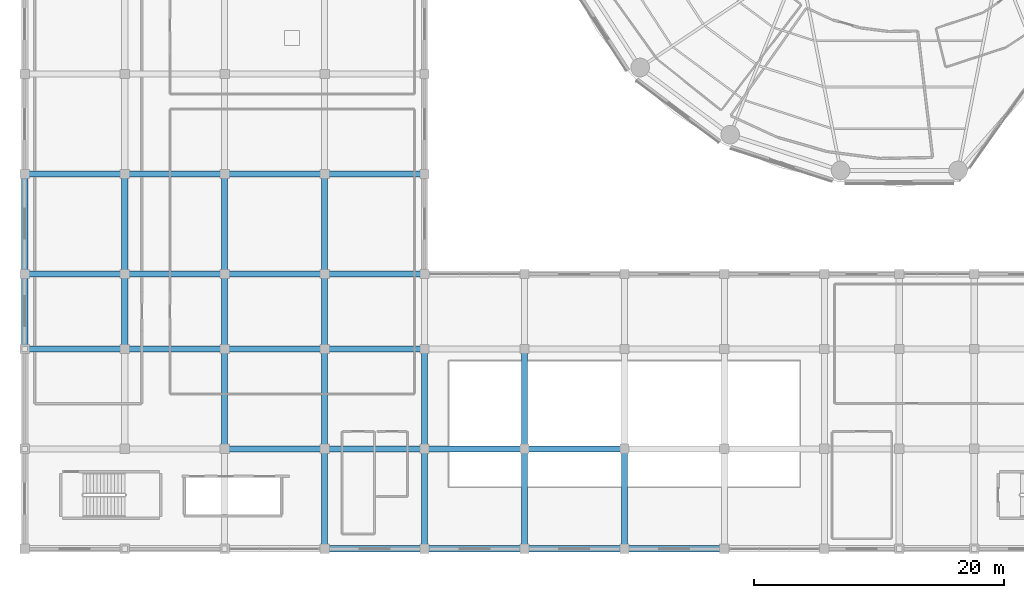
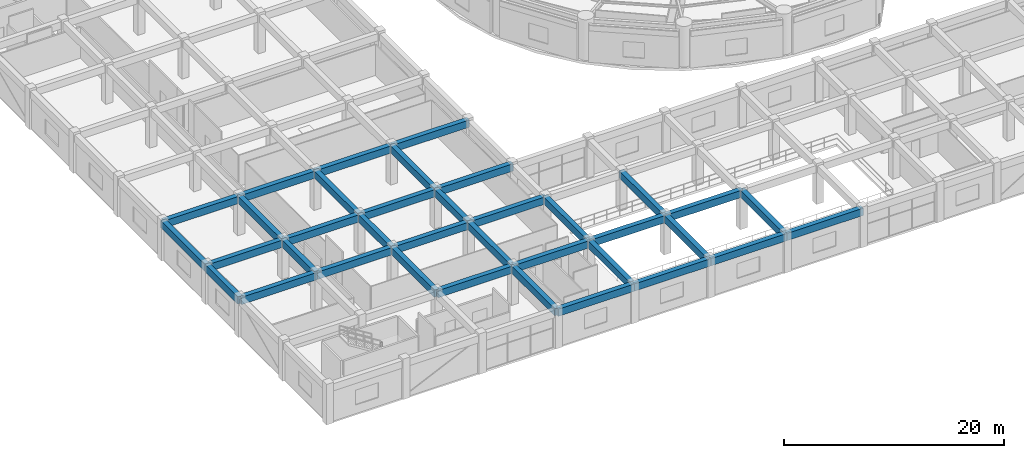
# One storey, part 7 of 55: 36 beams.
"""IFC4 building model written with IfcOpenShell, lengths in metres."""

import ifcopenshell
import ifcopenshell.guid

model = None  # the IFC model being written
_history = None  # IfcOwnerHistory: only IFC2X3 demands one
_inside = {}  # id of a spatial element -> (the spatial element, [elements in it])
_under = {}  # id of a project, library or spatial element -> (it, [spatial elements below it])
_declared = {}  # id of a project -> (the project, [libraries it declares])
_typed = {}  # id of a type object -> (the type object, [elements of that type])
_made_of = {}  # id of a material, layer set ... -> (it, [elements and type objects made of it])


def new_model(schema):
    """Start an empty IFC model of exactly this schema.

    Asked for "IFC4X3", IfcOpenShell would pick the latest addendum, in which some entities
    have other attributes; the version numbers below select the first issue.
    IFC2X3 requires an IfcOwnerHistory on every rooted entity: one is made here for all.
    """
    global model, _history
    if schema == "IFC4X3":
        model = ifcopenshell.file(schema_version=(4, 3, 0, 0))
    else:
        model = ifcopenshell.file(schema=schema)
    _inside.clear()
    _under.clear()
    _declared.clear()
    _typed.clear()
    _made_of.clear()
    _history = None
    if model.schema == "IFC2X3":
        org = make("IfcOrganization", Name="unknown")
        user = make(
            "IfcPersonAndOrganization",
            ThePerson=make("IfcPerson", FamilyName="unknown"),
            TheOrganization=org,
        )
        app = make(
            "IfcApplication",
            ApplicationDeveloper=org,
            Version="unknown",
            ApplicationFullName="unknown",
            ApplicationIdentifier="unknown",
        )
        _history = make(
            "IfcOwnerHistory",
            OwningUser=user,
            OwningApplication=app,
            ChangeAction="ADDED",
            CreationDate=0,
        )
    return model


def make(cls, **values):
    """One entity of the class cls with the attributes given. An attribute that is None is left unset."""
    return model.create_entity(
        cls, **{name: value for name, value in values.items() if value is not None}
    )


def rooted(cls, **values):
    """An entity with a GlobalId (a new one), such as an element, a storey or a relation."""
    return make(cls, GlobalId=ifcopenshell.guid.new(), OwnerHistory=_history, **values)


def si_unit(unit_type, name, prefix=None):
    """IfcSIUnit, for example si_unit("LENGTHUNIT", "METRE", prefix="MILLI")."""
    return make("IfcSIUnit", UnitType=unit_type, Prefix=prefix, Name=name)


def assignment(units):
    """IfcUnitAssignment: the units of a project."""
    return None if units is None else make("IfcUnitAssignment", Units=units)


def point(xyz):
    """IfcCartesianPoint."""
    return None if xyz is None else make("IfcCartesianPoint", Coordinates=xyz)


def direction(xyz):
    """IfcDirection."""
    return None if xyz is None else make("IfcDirection", DirectionRatios=xyz)


def frame(location, z_axis=None, x_axis=None):
    """IfcAxis2Placement3D, a coordinate frame: its origin and axes. An axis left out is left unset."""
    return make(
        "IfcAxis2Placement3D",
        Location=point(location),
        Axis=direction(z_axis),
        RefDirection=direction(x_axis),
    )


def frame_2d(location, x_axis=None):
    """IfcAxis2Placement2D, a coordinate frame in the plane: its origin and x axis."""
    return make(
        "IfcAxis2Placement2D", Location=point(location), RefDirection=direction(x_axis)
    )


def origin():
    """The frame at (0, 0, 0) with its axes left unset."""
    return frame((0.0, 0.0, 0.0))


def origin_2d():
    """The frame at (0, 0) in the plane with its x axis left unset."""
    return frame_2d((0.0, 0.0))


def place(relative_to, where):
    """IfcLocalPlacement: puts the frame where relative to a parent placement (None: the world)."""
    return make(
        "IfcLocalPlacement", PlacementRelTo=relative_to, RelativePlacement=where
    )


def context(
    kind, dimensions, precision=None, world=None, true_north=None, identifier=None
):
    """IfcGeometricRepresentationContext, for example the 3D "Model" context."""
    return make(
        "IfcGeometricRepresentationContext",
        ContextIdentifier=identifier,
        ContextType=kind,
        CoordinateSpaceDimension=dimensions,
        Precision=precision,
        WorldCoordinateSystem=world,
        TrueNorth=true_north,
    )


def subcontext(parent, identifier, kind, view, scale=None):
    """IfcGeometricRepresentationSubContext, for example "Body" below "Model"."""
    return make(
        "IfcGeometricRepresentationSubContext",
        ContextIdentifier=identifier,
        ContextType=kind,
        ParentContext=parent,
        TargetScale=scale,
        TargetView=view,
    )


def project(units=None, contexts=None):
    """IfcProject with its units and contexts."""
    return rooted(
        "IfcProject",
        Name="project",
        RepresentationContexts=contexts,
        UnitsInContext=assignment(units),
    )


def spatial(cls, under=None, at=None, **own):
    """A site, building, storey or space (cls), placed at a placement, below another one or the project."""
    s = rooted(cls, ObjectPlacement=at, **own)
    if under is not None:
        _under.setdefault(under.id(), (under, []))[1].append(s)
    return s


def profile(cls, at=None, kind="AREA", **sizes):
    """A parametric profile (cls). Its sizes go by their IFC names, for example OverallWidth=200.0."""
    return make(cls, ProfileType=kind, Position=at, **sizes)


def rectangle(**sizes):
    """IfcRectangleProfileDef."""
    return profile("IfcRectangleProfileDef", **sizes)


def extrude(swept, where, along, depth):
    """IfcExtrudedAreaSolid: the profile swept, set in the frame where, extruded along a direction by depth."""
    return make(
        "IfcExtrudedAreaSolid",
        SweptArea=swept,
        Position=where,
        ExtrudedDirection=direction(along),
        Depth=depth,
    )


def shape(context_of_items, identifier, shape_type, items):
    """IfcShapeRepresentation: the items that make up one representation, for example the "Body"."""
    return make(
        "IfcShapeRepresentation",
        ContextOfItems=context_of_items,
        RepresentationIdentifier=identifier,
        RepresentationType=shape_type,
        Items=items,
    )


def material(Name=None, Category=None):
    """IfcMaterial."""
    return make("IfcMaterial", Name=Name, Category=Category)


def material_profile(
    of_material, cross_section, Name=None, Category=None, Priority=None
):
    """IfcMaterialProfile: a cross section and its material."""
    return make(
        "IfcMaterialProfile",
        Name=Name,
        Material=of_material,
        Profile=cross_section,
        Priority=Priority,
        Category=Category,
    )


def profile_set(profiles, Name=None, composite=None):
    """IfcMaterialProfileSet."""
    return make(
        "IfcMaterialProfileSet",
        Name=Name,
        MaterialProfiles=profiles,
        CompositeProfile=composite,
    )


def made_of(thing, what):
    """Note that an element or type object is made of a material, layer set ...; save() writes the relation."""
    if what is not None:
        _made_of.setdefault(what.id(), (what, []))[1].append(thing)
    return thing


def type_object(cls, material=None, **own):
    """A type object (cls), such as IfcWallType, which elements share."""
    return made_of(rooted(cls, **own), material)


def element(
    cls,
    number,
    at=None,
    inside=None,
    cuts=None,
    type_object=None,
    material=None,
    context=None,
    identifier="Body",
    shape_type=None,
    held_by="IfcProductDefinitionShape",
    body=None,
    shapes=None,
    **own,
):
    """One element of the class cls, such as IfcWall. Its Tag is "e" and its number.

    at: its placement. inside: the storey or other place that contains it. cuts: it is an
    opening in that element (IfcRelVoidsElement). A single representation is given by context,
    identifier, shape_type and body (its items); several are given by shapes. held_by: the class
    of the entity that holds the representations. save() writes the other relations.
    """
    e = rooted(cls, Tag="e%d" % number, ObjectPlacement=at, **own)
    if body is not None:
        shapes = [shape(context, identifier, shape_type, body)]
    if shapes is not None:
        e.Representation = make(held_by, Representations=shapes)
    if inside is not None:
        _inside.setdefault(inside.id(), (inside, []))[1].append(e)
    if cuts is not None:
        rooted(
            "IfcRelVoidsElement", RelatingBuildingElement=cuts, RelatedOpeningElement=e
        )
    if type_object is not None:
        _typed.setdefault(type_object.id(), (type_object, []))[1].append(e)
    return made_of(e, material)


def aggregate(whole, parts):
    """IfcRelAggregates: a whole, such as a stair, and the parts it consists of."""
    return rooted("IfcRelAggregates", RelatingObject=whole, RelatedObjects=parts)


def save(model, path):
    """Write the relations noted so far, then the file.

    IfcRelAggregates (storeys below a building ...), IfcRelContainedInSpatialStructure (elements
    in a storey), IfcRelDefinesByType, IfcRelAssociatesMaterial and IfcRelDeclares: one each for
    every whole, place, type object, material and project.
    """
    for whole, parts in _under.values():
        aggregate(whole, parts)
    for where, things in _inside.values():
        rooted(
            "IfcRelContainedInSpatialStructure",
            RelatedElements=things,
            RelatingStructure=where,
        )
    for kind, things in _typed.values():
        rooted("IfcRelDefinesByType", RelatedObjects=things, RelatingType=kind)
    for what, things in _made_of.values():
        rooted("IfcRelAssociatesMaterial", RelatedObjects=things, RelatingMaterial=what)
    for by, libraries in _declared.values():
        rooted("IfcRelDeclares", RelatingContext=by, RelatedDefinitions=libraries)
    model.write(path)


model = new_model("IFC4")

# Units and contexts
model_context = context("Model", 3, precision=1e-05, world=origin(), true_north=direction((0.0, 1.0)))
body_context = subcontext(model_context, "Body", "Model", "MODEL_VIEW")
ifc_project = project(units=[si_unit("LENGTHUNIT", "METRE"), si_unit("AREAUNIT", "SQUARE_METRE"), si_unit("VOLUMEUNIT", "CUBIC_METRE"), si_unit("PLANEANGLEUNIT", "RADIAN"), si_unit("MASSUNIT", "GRAM", prefix="KILO")], contexts=[model_context])

# Site, building, storey
site_placement = place(None, origin())
site = spatial("IfcSite", under=ifc_project, at=site_placement, CompositionType="ELEMENT")
building_placement = place(site_placement, origin())
building = spatial("IfcBuilding", under=site, at=building_placement, Name="Kelanora Arch Commons", CompositionType="ELEMENT")
storey_placement = place(building_placement, frame((0.0, 0.0, 4.5)))
storey = spatial("IfcBuildingStorey", under=building, at=storey_placement, Name="L01", CompositionType="ELEMENT", Elevation=4.5)

# Beams
ifc_material = material(Name="Concrete C40/50", Category="concrete")
ifc_material_profile = material_profile(ifc_material, rectangle(XDim=0.5, YDim=0.800048828125, at=origin_2d()), Name="RCB500x800")
ifc_profile_set = profile_set([ifc_material_profile], Name="Concrete C40/50")
beam_type = type_object("IfcBeamType", Name="BM-MKT-RC1", PredefinedType="BEAM", material=ifc_profile_set)
beam_1_placement = place(storey_placement, frame((4.0, 20.0, 3.840087890625), z_axis=(1.0, 0.0, 0.0), x_axis=(0.0, 1.0, 0.0)))
element("IfcBeam", 1, at=beam_1_placement, inside=storey, type_object=beam_type, Name="Market/Basement Frame Beam 005 L01", PredefinedType="BEAM", context=body_context, shape_type="SweptSolid", body=[
    extrude(rectangle(XDim=0.5, YDim=0.800048828125, at=origin_2d()), origin(), (0.0, 0.0, 1.0), 8.0),
])
beam_2_placement = place(storey_placement, frame((4.0, 20.0, 3.840087890625), z_axis=(0.0, 1.0, 0.0), x_axis=(-1.0, 0.0, 0.0)))
element("IfcBeam", 2, at=beam_2_placement, inside=storey, type_object=beam_type, Name="Market/Basement Frame Beam 006 L01", PredefinedType="BEAM", context=body_context, shape_type="SweptSolid", body=[
    extrude(rectangle(XDim=0.5, YDim=0.800048828125, at=origin_2d()), origin(), (0.0, 0.0, 1.0), 6.0),
])
for number, where, z_axis, x_axis, name in (
    (3, (4.0, 26.0, 3.840087890625), (1.0, 0.0, 0.0), (0.0, 1.0, 0.0), "Market/Basement Frame Beam 007 L01"),
    (4, (4.0, 26.0, 3.840087890625), (0.0, 1.0, 0.0), (-1.0, 0.0, 0.0), "Market/Basement Frame Beam 008 L01"),
    (5, (4.0, 34.0, 3.840087890625), (1.0, 0.0, 0.0), (0.0, 1.0, 0.0), "Market/Basement Frame Beam 009 L01"),
    (6, (12.0, 20.0, 3.840087890625), (1.0, 0.0, 0.0), (0.0, 1.0, 0.0), "Market/Basement Frame Beam 024 L01"),
):
    element("IfcBeam", number, at=place(storey_placement, frame(where, z_axis=z_axis, x_axis=x_axis)), inside=storey, type_object=beam_type, Name=name, PredefinedType="BEAM", context=body_context, shape_type="SweptSolid", body=[
        extrude(rectangle(XDim=0.5, YDim=0.800048828125, at=origin_2d()), origin(), (0.0, 0.0, 1.0), 8.0),
    ])
beam_3_placement = place(storey_placement, frame((12.0, 20.0, 3.840087890625), z_axis=(0.0, 1.0, 0.0), x_axis=(-1.0, 0.0, 0.0)))
element("IfcBeam", 7, at=beam_3_placement, inside=storey, type_object=beam_type, Name="Market/Basement Frame Beam 025 L01", PredefinedType="BEAM", context=body_context, shape_type="SweptSolid", body=[
    extrude(rectangle(XDim=0.5, YDim=0.800048828125, at=origin_2d()), origin(), (0.0, 0.0, 1.0), 6.0),
])
for number, where, z_axis, x_axis, name in (
    (8, (12.0, 26.0, 3.840087890625), (1.0, 0.0, 0.0), (0.0, 1.0, 0.0), "Market/Basement Frame Beam 026 L01"),
    (9, (12.0, 26.0, 3.840087890625), (0.0, 1.0, 0.0), (-1.0, 0.0, 0.0), "Market/Basement Frame Beam 027 L01"),
    (10, (12.0, 34.0, 3.840087890625), (1.0, 0.0, 0.0), (0.0, 1.0, 0.0), "Market/Basement Frame Beam 028 L01"),
    (11, (20.0, 12.0, 3.840087890625), (1.0, 0.0, 0.0), (0.0, 1.0, 0.0), "Market/Basement Frame Beam 040 L01"),
    (12, (20.0, 12.0, 3.840087890625), (0.0, 1.0, 0.0), (-1.0, 0.0, 0.0), "Market/Basement Frame Beam 041 L01"),
    (13, (20.0, 20.0, 3.840087890625), (1.0, 0.0, 0.0), (0.0, 1.0, 0.0), "Market/Basement Frame Beam 042 L01"),
):
    element("IfcBeam", number, at=place(storey_placement, frame(where, z_axis=z_axis, x_axis=x_axis)), inside=storey, type_object=beam_type, Name=name, PredefinedType="BEAM", context=body_context, shape_type="SweptSolid", body=[
        extrude(rectangle(XDim=0.5, YDim=0.800048828125, at=origin_2d()), origin(), (0.0, 0.0, 1.0), 8.0),
    ])
beam_4_placement = place(storey_placement, frame((20.0, 20.0, 3.840087890625), z_axis=(0.0, 1.0, 0.0), x_axis=(-1.0, 0.0, 0.0)))
element("IfcBeam", 14, at=beam_4_placement, inside=storey, type_object=beam_type, Name="Market/Basement Frame Beam 043 L01", PredefinedType="BEAM", context=body_context, shape_type="SweptSolid", body=[
    extrude(rectangle(XDim=0.5, YDim=0.800048828125, at=origin_2d()), origin(), (0.0, 0.0, 1.0), 6.0),
])
for number, where, z_axis, x_axis, name in (
    (15, (20.0, 26.0, 3.840087890625), (1.0, 0.0, 0.0), (0.0, 1.0, 0.0), "Market/Basement Frame Beam 044 L01"),
    (16, (20.0, 26.0, 3.840087890625), (0.0, 1.0, 0.0), (-1.0, 0.0, 0.0), "Market/Basement Frame Beam 045 L01"),
    (17, (20.0, 34.0, 3.840087890625), (1.0, 0.0, 0.0), (0.0, 1.0, 0.0), "Market/Basement Frame Beam 046 L01"),
    (18, (28.0, 4.0, 3.840087890625), (1.0, 0.0, 0.0), (0.0, 1.0, 0.0), "Market/Basement Frame Beam 059 L01"),
    (19, (28.0, 4.0, 3.840087890625), (0.0, 1.0, 0.0), (-1.0, 0.0, 0.0), "Market/Basement Frame Beam 060 L01"),
    (20, (28.0, 12.0, 3.840087890625), (1.0, 0.0, 0.0), (0.0, 1.0, 0.0), "Market/Basement Frame Beam 061 L01"),
    (21, (28.0, 12.0, 3.840087890625), (0.0, 1.0, 0.0), (-1.0, 0.0, 0.0), "Market/Basement Frame Beam 062 L01"),
    (22, (28.0, 20.0, 3.840087890625), (1.0, 0.0, 0.0), (0.0, 1.0, 0.0), "Market/Basement Frame Beam 063 L01"),
):
    element("IfcBeam", number, at=place(storey_placement, frame(where, z_axis=z_axis, x_axis=x_axis)), inside=storey, type_object=beam_type, Name=name, PredefinedType="BEAM", context=body_context, shape_type="SweptSolid", body=[
        extrude(rectangle(XDim=0.5, YDim=0.800048828125, at=origin_2d()), origin(), (0.0, 0.0, 1.0), 8.0),
    ])
beam_5_placement = place(storey_placement, frame((28.0, 20.0, 3.840087890625), z_axis=(0.0, 1.0, 0.0), x_axis=(-1.0, 0.0, 0.0)))
element("IfcBeam", 23, at=beam_5_placement, inside=storey, type_object=beam_type, Name="Market/Basement Frame Beam 064 L01", PredefinedType="BEAM", context=body_context, shape_type="SweptSolid", body=[
    extrude(rectangle(XDim=0.5, YDim=0.800048828125, at=origin_2d()), origin(), (0.0, 0.0, 1.0), 6.0),
])
for number, where, z_axis, x_axis, name in (
    (24, (28.0, 26.0, 3.840087890625), (1.0, 0.0, 0.0), (0.0, 1.0, 0.0), "Market/Basement Frame Beam 065 L01"),
    (25, (28.0, 26.0, 3.840087890625), (0.0, 1.0, 0.0), (-1.0, 0.0, 0.0), "Market/Basement Frame Beam 066 L01"),
    (26, (28.0, 34.0, 3.840087890625), (1.0, 0.0, 0.0), (0.0, 1.0, 0.0), "Market/Basement Frame Beam 067 L01"),
    (27, (36.0, 4.0, 3.840087890625), (1.0, 0.0, 0.0), (0.0, 1.0, 0.0), "Market/Basement Frame Beam 080 L01"),
    (28, (36.0, 4.0, 3.840087890625), (0.0, 1.0, 0.0), (-1.0, 0.0, 0.0), "Market/Basement Frame Beam 081 L01"),
    (29, (36.0, 12.0, 3.840087890625), (1.0, 0.0, 0.0), (0.0, 1.0, 0.0), "Market/Basement Frame Beam 082 L01"),
    (30, (36.0, 12.0, 3.840087890625), (0.0, 1.0, 0.0), (-1.0, 0.0, 0.0), "Market/Basement Frame Beam 083 L01"),
    (31, (44.0, 4.0, 3.840087890625), (1.0, 0.0, 0.0), (0.0, 1.0, 0.0), "Market/Basement Frame Beam 094 L01"),
    (32, (44.0, 4.0, 3.840087890625), (0.0, 1.0, 0.0), (-1.0, 0.0, 0.0), "Market/Basement Frame Beam 095 L01"),
    (33, (44.0, 12.0, 3.840087890625), (1.0, 0.0, 0.0), (0.0, 1.0, 0.0), "Market/Basement Frame Beam 096 L01"),
    (34, (44.0, 12.0, 3.840087890625), (0.0, 1.0, 0.0), (-1.0, 0.0, 0.0), "Market/Basement Frame Beam 097 L01"),
    (35, (52.0, 4.0, 3.840087890625), (1.0, 0.0, 0.0), (0.0, 1.0, 0.0), "Market/Basement Frame Beam 101 L01"),
    (36, (52.0, 4.0, 3.840087890625), (0.0, 1.0, 0.0), (-1.0, 0.0, 0.0), "Market/Basement Frame Beam 102 L01"),
):
    element("IfcBeam", number, at=place(storey_placement, frame(where, z_axis=z_axis, x_axis=x_axis)), inside=storey, type_object=beam_type, Name=name, PredefinedType="BEAM", context=body_context, shape_type="SweptSolid", body=[
        extrude(rectangle(XDim=0.5, YDim=0.800048828125, at=origin_2d()), origin(), (0.0, 0.0, 1.0), 8.0),
    ])

save(model, "model.ifc")
